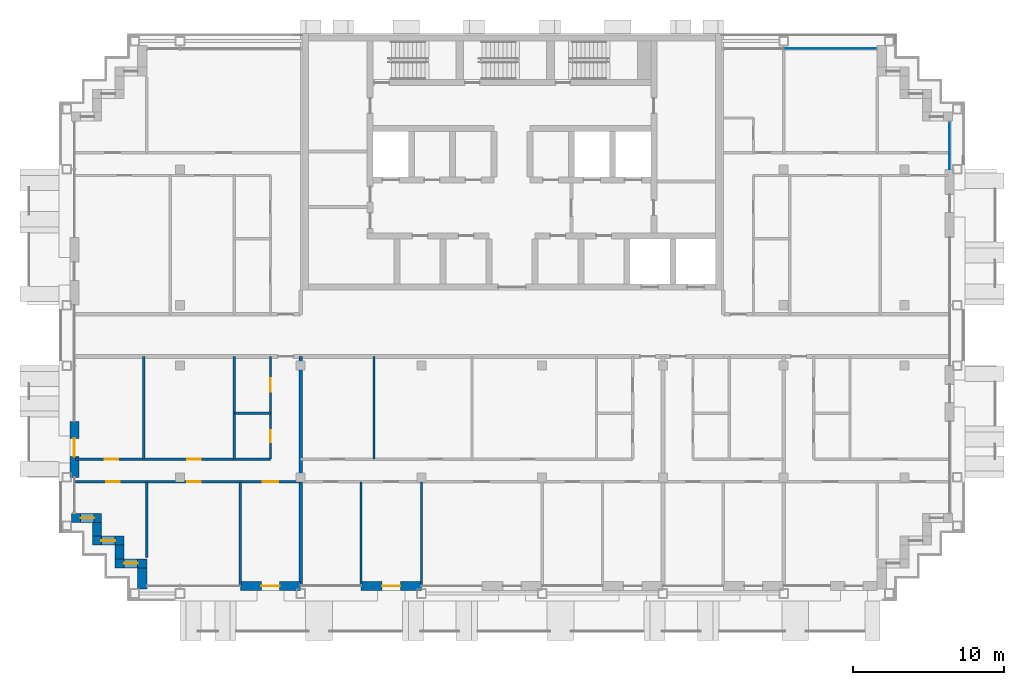
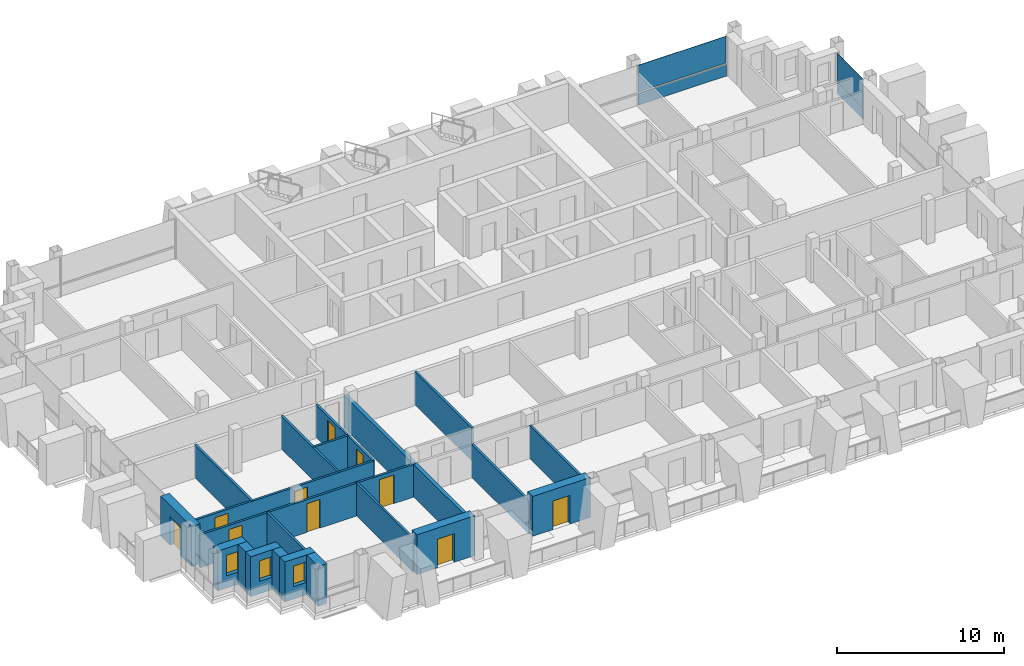
# One storey, part 7 of 16: 21 walls, 10 doors, 4 plates, 3 windows, 13 openings, 2 elements without a shape of their own.
"""IFC4 building model written with IfcOpenShell, lengths in metres."""

import ifcopenshell
import ifcopenshell.guid

model = None  # the IFC model being written
_history = None  # IfcOwnerHistory: only IFC2X3 demands one
_inside = {}  # id of a spatial element -> (the spatial element, [elements in it])
_under = {}  # id of a project, library or spatial element -> (it, [spatial elements below it])
_declared = {}  # id of a project -> (the project, [libraries it declares])
_typed = {}  # id of a type object -> (the type object, [elements of that type])
_made_of = {}  # id of a material, layer set ... -> (it, [elements and type objects made of it])


def new_model(schema):
    """Start an empty IFC model of exactly this schema.

    Asked for "IFC4X3", IfcOpenShell would pick the latest addendum, in which some entities
    have other attributes; the version numbers below select the first issue.
    IFC2X3 requires an IfcOwnerHistory on every rooted entity: one is made here for all.
    """
    global model, _history
    if schema == "IFC4X3":
        model = ifcopenshell.file(schema_version=(4, 3, 0, 0))
    else:
        model = ifcopenshell.file(schema=schema)
    _inside.clear()
    _under.clear()
    _declared.clear()
    _typed.clear()
    _made_of.clear()
    _history = None
    if model.schema == "IFC2X3":
        org = make("IfcOrganization", Name="unknown")
        user = make(
            "IfcPersonAndOrganization",
            ThePerson=make("IfcPerson", FamilyName="unknown"),
            TheOrganization=org,
        )
        app = make(
            "IfcApplication",
            ApplicationDeveloper=org,
            Version="unknown",
            ApplicationFullName="unknown",
            ApplicationIdentifier="unknown",
        )
        _history = make(
            "IfcOwnerHistory",
            OwningUser=user,
            OwningApplication=app,
            ChangeAction="ADDED",
            CreationDate=0,
        )
    return model


def make(cls, **values):
    """One entity of the class cls with the attributes given. An attribute that is None is left unset."""
    return model.create_entity(
        cls, **{name: value for name, value in values.items() if value is not None}
    )


def rooted(cls, **values):
    """An entity with a GlobalId (a new one), such as an element, a storey or a relation."""
    return make(cls, GlobalId=ifcopenshell.guid.new(), OwnerHistory=_history, **values)


def si_unit(unit_type, name, prefix=None):
    """IfcSIUnit, for example si_unit("LENGTHUNIT", "METRE", prefix="MILLI")."""
    return make("IfcSIUnit", UnitType=unit_type, Prefix=prefix, Name=name)


def assignment(units):
    """IfcUnitAssignment: the units of a project."""
    return None if units is None else make("IfcUnitAssignment", Units=units)


def point(xyz):
    """IfcCartesianPoint."""
    return None if xyz is None else make("IfcCartesianPoint", Coordinates=xyz)


def direction(xyz):
    """IfcDirection."""
    return None if xyz is None else make("IfcDirection", DirectionRatios=xyz)


def frame(location, z_axis=None, x_axis=None):
    """IfcAxis2Placement3D, a coordinate frame: its origin and axes. An axis left out is left unset."""
    return make(
        "IfcAxis2Placement3D",
        Location=point(location),
        Axis=direction(z_axis),
        RefDirection=direction(x_axis),
    )


def frame_2d(location, x_axis=None):
    """IfcAxis2Placement2D, a coordinate frame in the plane: its origin and x axis."""
    return make(
        "IfcAxis2Placement2D", Location=point(location), RefDirection=direction(x_axis)
    )


def origin():
    """The frame at (0, 0, 0) with its axes left unset."""
    return frame((0.0, 0.0, 0.0))


def origin_2d():
    """The frame at (0, 0) in the plane with its x axis left unset."""
    return frame_2d((0.0, 0.0))


def place(relative_to, where):
    """IfcLocalPlacement: puts the frame where relative to a parent placement (None: the world)."""
    return make(
        "IfcLocalPlacement", PlacementRelTo=relative_to, RelativePlacement=where
    )


def context(
    kind, dimensions, precision=None, world=None, true_north=None, identifier=None
):
    """IfcGeometricRepresentationContext, for example the 3D "Model" context."""
    return make(
        "IfcGeometricRepresentationContext",
        ContextIdentifier=identifier,
        ContextType=kind,
        CoordinateSpaceDimension=dimensions,
        Precision=precision,
        WorldCoordinateSystem=world,
        TrueNorth=true_north,
    )


def subcontext(parent, identifier, kind, view, scale=None):
    """IfcGeometricRepresentationSubContext, for example "Body" below "Model"."""
    return make(
        "IfcGeometricRepresentationSubContext",
        ContextIdentifier=identifier,
        ContextType=kind,
        ParentContext=parent,
        TargetScale=scale,
        TargetView=view,
    )


def project(units=None, contexts=None):
    """IfcProject with its units and contexts."""
    return rooted(
        "IfcProject",
        Name="project",
        RepresentationContexts=contexts,
        UnitsInContext=assignment(units),
    )


def spatial(cls, under=None, at=None, **own):
    """A site, building, storey or space (cls), placed at a placement, below another one or the project."""
    s = rooted(cls, ObjectPlacement=at, **own)
    if under is not None:
        _under.setdefault(under.id(), (under, []))[1].append(s)
    return s


def profile(cls, at=None, kind="AREA", **sizes):
    """A parametric profile (cls). Its sizes go by their IFC names, for example OverallWidth=200.0."""
    return make(cls, ProfileType=kind, Position=at, **sizes)


def rectangle(**sizes):
    """IfcRectangleProfileDef."""
    return profile("IfcRectangleProfileDef", **sizes)


def extrude(swept, where, along, depth):
    """IfcExtrudedAreaSolid: the profile swept, set in the frame where, extruded along a direction by depth."""
    return make(
        "IfcExtrudedAreaSolid",
        SweptArea=swept,
        Position=where,
        ExtrudedDirection=direction(along),
        Depth=depth,
    )


def shape(context_of_items, identifier, shape_type, items):
    """IfcShapeRepresentation: the items that make up one representation, for example the "Body"."""
    return make(
        "IfcShapeRepresentation",
        ContextOfItems=context_of_items,
        RepresentationIdentifier=identifier,
        RepresentationType=shape_type,
        Items=items,
    )


def material(Name=None, Category=None):
    """IfcMaterial."""
    return make("IfcMaterial", Name=Name, Category=Category)


def layer(
    of_material, thickness, ventilated=None, Name=None, Category=None, Priority=None
):
    """IfcMaterialLayer: one layer of a wall or slab, of a material (None: an air gap)."""
    return make(
        "IfcMaterialLayer",
        Material=of_material,
        LayerThickness=thickness,
        IsVentilated=ventilated,
        Name=Name,
        Category=Category,
        Priority=Priority,
    )


def layer_set(layers, Name=None):
    """IfcMaterialLayerSet."""
    return make("IfcMaterialLayerSet", MaterialLayers=layers, LayerSetName=Name)


def made_of(thing, what):
    """Note that an element or type object is made of a material, layer set ...; save() writes the relation."""
    if what is not None:
        _made_of.setdefault(what.id(), (what, []))[1].append(thing)
    return thing


def type_object(cls, material=None, **own):
    """A type object (cls), such as IfcWallType, which elements share."""
    return made_of(rooted(cls, **own), material)


def element(
    cls,
    number,
    at=None,
    inside=None,
    cuts=None,
    type_object=None,
    material=None,
    context=None,
    identifier="Body",
    shape_type=None,
    held_by="IfcProductDefinitionShape",
    body=None,
    shapes=None,
    **own,
):
    """One element of the class cls, such as IfcWall. Its Tag is "e" and its number.

    at: its placement. inside: the storey or other place that contains it. cuts: it is an
    opening in that element (IfcRelVoidsElement). A single representation is given by context,
    identifier, shape_type and body (its items); several are given by shapes. held_by: the class
    of the entity that holds the representations. save() writes the other relations.
    """
    e = rooted(cls, Tag="e%d" % number, ObjectPlacement=at, **own)
    if body is not None:
        shapes = [shape(context, identifier, shape_type, body)]
    if shapes is not None:
        e.Representation = make(held_by, Representations=shapes)
    if inside is not None:
        _inside.setdefault(inside.id(), (inside, []))[1].append(e)
    if cuts is not None:
        rooted(
            "IfcRelVoidsElement", RelatingBuildingElement=cuts, RelatedOpeningElement=e
        )
    if type_object is not None:
        _typed.setdefault(type_object.id(), (type_object, []))[1].append(e)
    return made_of(e, material)


def fill(opening, filler):
    """IfcRelFillsElement: the door or window that sits in an opening."""
    return rooted(
        "IfcRelFillsElement",
        RelatingOpeningElement=opening,
        RelatedBuildingElement=filler,
    )


def aggregate(whole, parts):
    """IfcRelAggregates: a whole, such as a stair, and the parts it consists of."""
    return rooted("IfcRelAggregates", RelatingObject=whole, RelatedObjects=parts)


def save(model, path):
    """Write the relations noted so far, then the file.

    IfcRelAggregates (storeys below a building ...), IfcRelContainedInSpatialStructure (elements
    in a storey), IfcRelDefinesByType, IfcRelAssociatesMaterial and IfcRelDeclares: one each for
    every whole, place, type object, material and project.
    """
    for whole, parts in _under.values():
        aggregate(whole, parts)
    for where, things in _inside.values():
        rooted(
            "IfcRelContainedInSpatialStructure",
            RelatedElements=things,
            RelatingStructure=where,
        )
    for kind, things in _typed.values():
        rooted("IfcRelDefinesByType", RelatedObjects=things, RelatingType=kind)
    for what, things in _made_of.values():
        rooted("IfcRelAssociatesMaterial", RelatedObjects=things, RelatingMaterial=what)
    for by, libraries in _declared.values():
        rooted("IfcRelDeclares", RelatingContext=by, RelatedDefinitions=libraries)
    model.write(path)


model = new_model("IFC4")

# Units and contexts
model_context = context("Model", 3, precision=1e-05, world=origin(), true_north=direction((0.0, 1.0)))
body_context = subcontext(model_context, "Body", "Model", "MODEL_VIEW")
ifc_project = project(units=[si_unit("LENGTHUNIT", "METRE"), si_unit("AREAUNIT", "SQUARE_METRE"), si_unit("VOLUMEUNIT", "CUBIC_METRE"), si_unit("PLANEANGLEUNIT", "RADIAN"), si_unit("MASSUNIT", "GRAM", prefix="KILO")], contexts=[model_context])

# Site, building, storey
site_placement = place(None, origin())
site = spatial("IfcSite", under=ifc_project, at=site_placement, CompositionType="ELEMENT")
building_placement = place(site_placement, origin())
building = spatial("IfcBuilding", under=site, at=building_placement, Name="Vidyagriha Tower", CompositionType="ELEMENT")
storey_placement = place(building_placement, frame((0.0, 0.0, 207.60009765625)))
storey = spatial("IfcBuildingStorey", under=building, at=storey_placement, Name="L53", CompositionType="ELEMENT", Elevation=207.60009765625)

# Curtain wall, plate
ifc_material_1 = material(Name="Aluminium and glass curtain wall", Category="aluminium")
curtain_wall_type = type_object("IfcCurtainWallType", Name="Dwelling skin unitised curtain wall", PredefinedType="USERDEFINED", material=ifc_material_1)
curtain_wall_1_placement = place(storey_placement, origin())
curtain_wall_1 = element("IfcCurtainWall", 1, at=curtain_wall_1_placement, inside=storey, type_object=curtain_wall_type, Name="CW1 dwelling skin", ObjectType="UNITISED", PredefinedType="USERDEFINED")
ifc_material_2 = material(Name="Glass dark ceramic-fritted spandrel", Category="glass")
ifc_layer_1 = layer(ifc_material_2, 0.0400390625)
ifc_layer_set_1 = layer_set([ifc_layer_1], Name="Glass dark ceramic-fritted spandrel")
plate_type_1 = type_object("IfcPlateType", Name="Ceramic-fritted spandrel panel", PredefinedType="CURTAIN_PANEL", material=ifc_layer_set_1)
plate_1_placement = place(storey_placement, frame((21.08251953125, 19.0, -0.000244140625), z_axis=(0.0, 0.0, 1.0), x_axis=(-1.0, 0.0, 0.0)))
plate_1 = element("IfcPlate", 2, at=plate_1_placement, type_object=plate_type_1, Name="CW1 panel 1.1", PredefinedType="CURTAIN_PANEL", context=body_context, shape_type="SweptSolid", body=[
    extrude(rectangle(XDim=6.094970703125, YDim=0.0400390625, at=origin_2d()), origin(), (0.0, 0.0, 1.0), 0.85009765625),
])

curtain_wall_2_placement = place(storey_placement, origin())
curtain_wall_2 = element("IfcCurtainWall", 3, at=curtain_wall_2_placement, inside=storey, type_object=curtain_wall_type, Name="CW1 dwelling skin", ObjectType="UNITISED", PredefinedType="USERDEFINED")
plate_2_placement = place(storey_placement, frame((29.0, 12.56494140625, -0.000244140625), z_axis=(0.0, 0.0, 1.0), x_axis=(0.0, 1.0, 0.0)))
plate_2 = element("IfcPlate", 4, at=plate_2_placement, type_object=plate_type_1, Name="CW1 panel 1.1", PredefinedType="CURTAIN_PANEL", context=body_context, shape_type="SweptSolid", body=[
    extrude(rectangle(XDim=3.1298828125, YDim=0.0400390625, at=origin_2d()), origin(), (0.0, 0.0, 1.0), 0.85009765625),
])

# Plate
ifc_material_3 = material(Name="Glass dark ceramic-fritted", Category="glass")
ifc_layer_2 = layer(ifc_material_3, 0.028076171875)
ifc_layer_set_2 = layer_set([ifc_layer_2], Name="Glass dark ceramic-fritted")
plate_type_2 = type_object("IfcPlateType", Name="Dark ceramic-fritted vision glass panel", PredefinedType="CURTAIN_PANEL", material=ifc_layer_set_2)
plate_3_placement = place(storey_placement, frame((21.08251953125, 19.0, 0.94970703125), z_axis=(0.0, 0.0, 1.0), x_axis=(-1.0, 0.0, 0.0)))
plate_3 = element("IfcPlate", 5, at=plate_3_placement, type_object=plate_type_2, Name="CW1 panel 1.2", PredefinedType="CURTAIN_PANEL", context=body_context, shape_type="SweptSolid", body=[
    extrude(rectangle(XDim=6.094970703125, YDim=0.028076171875, at=origin_2d()), origin(), (0.0, 0.0, 1.0), 1.969970703125),
])

aggregate(curtain_wall_1, [plate_1, plate_3])

plate_4_placement = place(storey_placement, frame((29.0, 12.56494140625, 0.94970703125), z_axis=(0.0, 0.0, 1.0), x_axis=(0.0, 1.0, 0.0)))
plate_4 = element("IfcPlate", 6, at=plate_4_placement, type_object=plate_type_2, Name="CW1 panel 1.2", PredefinedType="CURTAIN_PANEL", context=body_context, shape_type="SweptSolid", body=[
    extrude(rectangle(XDim=3.1298828125, YDim=0.028076171875, at=origin_2d()), origin(), (0.0, 0.0, 1.0), 1.969970703125),
])

aggregate(curtain_wall_2, [plate_2, plate_4])

# Wall, opening, door
ifc_material_4 = material(Name="Precast concrete C40/50 with brick facing", Category="concrete")
ifc_layer_3 = layer(ifc_material_4, 0.60009765625)
ifc_layer_set_3 = layer_set([ifc_layer_3], Name="Precast concrete C40/50 with brick facing")
wall_type_1 = type_object("IfcWallType", Name="Brick-faced precast wall 600", PredefinedType="STANDARD", material=ifc_layer_set_3)
wall_1_placement = place(storey_placement, frame((-29.0, -5.699951171875, 0.0), z_axis=(0.0, 0.0, 1.0), x_axis=(0.0, -1.0, 0.0)))
wall_1 = element("IfcWall", 7, at=wall_1_placement, inside=storey, type_object=wall_type_1, Name="Brick door bay wall L53 R16.6", PredefinedType="STANDARD", context=body_context, shape_type="SweptSolid", body=[
    extrude(rectangle(XDim=3.699951171875, YDim=0.60009765625, at=frame_2d((1.85009765625, 0.0))), origin(), (0.0, 0.0, 1.0), 2.919921875),
])
opening_1_placement = place(wall_1_placement, frame((1.125, 0.0, 0.0)))
opening_1 = element("IfcOpeningElement", 8, at=opening_1_placement, cuts=wall_1, Name="Opening D53-66", PredefinedType="OPENING", context=body_context, shape_type="SweptSolid", body=[
    extrude(rectangle(XDim=1.199951171875, YDim=2.10009765625, at=frame_2d((0.60009765625, 1.050048828125))), frame((0.0, 0.31005859375, 0.0), z_axis=(0.0, -1.0, 0.0), x_axis=(1.0, 0.0, 0.0)), (0.0, 0.0, 1.0), 0.6201171875),
])
ifc_material_5 = material(Name="Aluminium framed glazed sliding door", Category="aluminium")
door_type_1 = type_object("IfcDoorType", Name="Balcony sliding door 1200x2100", OperationType="NOTDEFINED", PredefinedType="DOOR", material=ifc_material_5)
door_1_placement = place(opening_1_placement, origin())
door_1 = element("IfcDoor", 9, at=door_1_placement, inside=storey, type_object=door_type_1, Name="Door D53-66", OperationType="SLIDING_TO_LEFT", OverallHeight=2.10009765625, OverallWidth=1.199951171875, PredefinedType="DOOR", context=body_context, shape_type="SweptSolid", body=[
    extrude(rectangle(XDim=1.199951171875, YDim=2.10009765625, at=frame_2d((0.60009765625, 1.050048828125))), frame((0.0, 0.02490234375, 0.0), z_axis=(0.0, -1.0, 0.0), x_axis=(1.0, 0.0, 0.0)), (0.0, 0.0, 1.0), 0.050048828125),
])
fill(opening_1, door_1)

# Wall, opening, window
wall_2_placement = place(storey_placement, frame((-29.199951171875, -12.10009765625, 0.0)))
wall_2 = element("IfcWall", 10, at=wall_2_placement, inside=storey, type_object=wall_type_1, Name="Stepped corner wall L53 R17", PredefinedType="STANDARD", context=body_context, shape_type="SweptSolid", body=[
    extrude(rectangle(XDim=2.0, YDim=0.60009765625, at=frame_2d((1.0, 0.0))), origin(), (0.0, 0.0, 1.0), 2.919921875),
])
opening_2_placement = place(wall_2_placement, frame((0.610107421875, 0.0, 0.89990234375)))
opening_2 = element("IfcOpeningElement", 11, at=opening_2_placement, cuts=wall_2, Name="Opening WN1", PredefinedType="OPENING", context=body_context, shape_type="SweptSolid", body=[
    extrude(rectangle(XDim=0.89990234375, YDim=1.5, at=frame_2d((0.449951171875, 0.75))), frame((0.0, 0.31005859375, 0.0), z_axis=(0.0, -1.0, 0.0), x_axis=(1.0, 0.0, 0.0)), (0.0, 0.0, 1.0), 0.6201171875),
])
ifc_material_6 = material(Name="Aluminium and glass window", Category="aluminium")
window_type = type_object("IfcWindowType", Name="Reveal window 900x1500", PartitioningType="NOTDEFINED", PredefinedType="WINDOW", material=ifc_material_6)
window_1_placement = place(opening_2_placement, origin())
window_1 = element("IfcWindow", 12, at=window_1_placement, inside=storey, type_object=window_type, Name="Reveal window L53 R17", OverallHeight=1.5, OverallWidth=0.89990234375, PartitioningType="SINGLE_PANEL", PredefinedType="WINDOW", context=body_context, shape_type="SweptSolid", body=[
    extrude(rectangle(XDim=0.89990234375, YDim=1.5, at=frame_2d((0.449951171875, 0.75))), frame((0.0, 0.030029296875, 0.0), z_axis=(0.0, -1.0, 0.0), x_axis=(1.0, 0.0, 0.0)), (0.0, 0.0, 1.0), 0.06005859375),
])
fill(opening_2, window_1)

# Wall
wall_3_placement = place(storey_placement, frame((-27.5, -12.39990234375, 0.0), z_axis=(0.0, 0.0, 1.0), x_axis=(0.0, -1.0, 0.0)))
element("IfcWall", 13, at=wall_3_placement, inside=storey, type_object=wall_type_1, Name="Stepped corner wall L53 R18", PredefinedType="STANDARD", context=body_context, shape_type="SweptSolid", body=[
    extrude(rectangle(XDim=0.900146484375, YDim=0.60009765625, at=frame_2d((0.4501953125, 0.0))), origin(), (0.0, 0.0, 1.0), 2.919921875),
])

# Wall, opening, window
wall_4_placement = place(storey_placement, frame((-27.800048828125, -13.60009765625, 0.0)))
wall_4 = element("IfcWall", 14, at=wall_4_placement, inside=storey, type_object=wall_type_1, Name="Stepped corner wall L53 R19", PredefinedType="STANDARD", context=body_context, shape_type="SweptSolid", body=[
    extrude(rectangle(XDim=2.10009765625, YDim=0.60009765625, at=frame_2d((1.050048828125, 0.0))), origin(), (0.0, 0.0, 1.0), 2.919921875),
])
opening_3_placement = place(wall_4_placement, frame((0.60009765625, 0.0, 0.89990234375)))
opening_3 = element("IfcOpeningElement", 15, at=opening_3_placement, cuts=wall_4, Name="Opening WN1", PredefinedType="OPENING", context=body_context, shape_type="SweptSolid", body=[
    extrude(rectangle(XDim=0.89990234375, YDim=1.5, at=frame_2d((0.449951171875, 0.75))), frame((0.0, 0.31005859375, 0.0), z_axis=(0.0, -1.0, 0.0), x_axis=(1.0, 0.0, 0.0)), (0.0, 0.0, 1.0), 0.6201171875),
])
window_2_placement = place(opening_3_placement, origin())
window_2 = element("IfcWindow", 16, at=window_2_placement, inside=storey, type_object=window_type, Name="Reveal window L53 R19", OverallHeight=1.5, OverallWidth=0.89990234375, PartitioningType="SINGLE_PANEL", PredefinedType="WINDOW", context=body_context, shape_type="SweptSolid", body=[
    extrude(rectangle(XDim=0.89990234375, YDim=1.5, at=frame_2d((0.449951171875, 0.75))), frame((0.0, 0.030029296875, 0.0), z_axis=(0.0, -1.0, 0.0), x_axis=(1.0, 0.0, 0.0)), (0.0, 0.0, 1.0), 0.06005859375),
])
fill(opening_3, window_2)

# Wall
wall_5_placement = place(storey_placement, frame((-26.0, -13.89990234375, 0.0), z_axis=(0.0, 0.0, 1.0), x_axis=(0.0, -1.0, 0.0)))
element("IfcWall", 17, at=wall_5_placement, inside=storey, type_object=wall_type_1, Name="Stepped corner wall L53 R20", PredefinedType="STANDARD", context=body_context, shape_type="SweptSolid", body=[
    extrude(rectangle(XDim=0.900146484375, YDim=0.60009765625, at=frame_2d((0.4501953125, 0.0))), origin(), (0.0, 0.0, 1.0), 2.919921875),
])

# Wall, opening, window
wall_6_placement = place(storey_placement, frame((-26.300048828125, -15.10009765625, 0.0)))
wall_6 = element("IfcWall", 18, at=wall_6_placement, inside=storey, type_object=wall_type_1, Name="Stepped corner wall L53 R21", PredefinedType="STANDARD", context=body_context, shape_type="SweptSolid", body=[
    extrude(rectangle(XDim=2.10009765625, YDim=0.60009765625, at=frame_2d((1.050048828125, 0.0))), origin(), (0.0, 0.0, 1.0), 2.919921875),
])
opening_4_placement = place(wall_6_placement, frame((0.60009765625, 0.0, 0.89990234375)))
opening_4 = element("IfcOpeningElement", 19, at=opening_4_placement, cuts=wall_6, Name="Opening WN1", PredefinedType="OPENING", context=body_context, shape_type="SweptSolid", body=[
    extrude(rectangle(XDim=0.89990234375, YDim=1.5, at=frame_2d((0.449951171875, 0.75))), frame((0.0, 0.31005859375, 0.0), z_axis=(0.0, -1.0, 0.0), x_axis=(1.0, 0.0, 0.0)), (0.0, 0.0, 1.0), 0.6201171875),
])
window_3_placement = place(opening_4_placement, origin())
window_3 = element("IfcWindow", 20, at=window_3_placement, inside=storey, type_object=window_type, Name="Reveal window L53 R21", OverallHeight=1.5, OverallWidth=0.89990234375, PartitioningType="SINGLE_PANEL", PredefinedType="WINDOW", context=body_context, shape_type="SweptSolid", body=[
    extrude(rectangle(XDim=0.89990234375, YDim=1.5, at=frame_2d((0.449951171875, 0.75))), frame((0.0, 0.030029296875, 0.0), z_axis=(0.0, -1.0, 0.0), x_axis=(1.0, 0.0, 0.0)), (0.0, 0.0, 1.0), 0.06005859375),
])
fill(opening_4, window_3)

# Wall
wall_7_placement = place(storey_placement, frame((-24.5, -15.39990234375, 0.0), z_axis=(0.0, 0.0, 1.0), x_axis=(0.0, -1.0, 0.0)))
element("IfcWall", 21, at=wall_7_placement, inside=storey, type_object=wall_type_1, Name="Stepped corner wall L53 R22", PredefinedType="STANDARD", context=body_context, shape_type="SweptSolid", body=[
    extrude(rectangle(XDim=1.400146484375, YDim=0.60009765625, at=frame_2d((0.7001953125, 0.0))), origin(), (0.0, 0.0, 1.0), 2.919921875),
])

# Wall, opening, door
wall_8_placement = place(storey_placement, frame((-18.0, -16.60009765625, 0.0)))
wall_8 = element("IfcWall", 22, at=wall_8_placement, inside=storey, type_object=wall_type_1, Name="Brick door bay wall L53 R23.3", PredefinedType="STANDARD", context=body_context, shape_type="SweptSolid", body=[
    extrude(rectangle(XDim=4.0, YDim=0.60009765625, at=frame_2d((2.0, 0.0))), origin(), (0.0, 0.0, 1.0), 2.919921875),
])
opening_5_placement = place(wall_8_placement, frame((1.39990234375, 0.0, 0.0)))
opening_5 = element("IfcOpeningElement", 23, at=opening_5_placement, cuts=wall_8, Name="Opening D53-67", PredefinedType="OPENING", context=body_context, shape_type="SweptSolid", body=[
    extrude(rectangle(XDim=1.199951171875, YDim=2.10009765625, at=frame_2d((0.60009765625, 1.050048828125))), frame((0.0, 0.31005859375, 0.0), z_axis=(0.0, -1.0, 0.0), x_axis=(1.0, 0.0, 0.0)), (0.0, 0.0, 1.0), 0.6201171875),
])
door_2_placement = place(opening_5_placement, origin())
door_2 = element("IfcDoor", 24, at=door_2_placement, inside=storey, type_object=door_type_1, Name="Door D53-67", OperationType="SLIDING_TO_LEFT", OverallHeight=2.10009765625, OverallWidth=1.199951171875, PredefinedType="DOOR", context=body_context, shape_type="SweptSolid", body=[
    extrude(rectangle(XDim=1.199951171875, YDim=2.10009765625, at=frame_2d((0.60009765625, 1.050048828125))), frame((0.0, 0.02490234375, 0.0), z_axis=(0.0, -1.0, 0.0), x_axis=(1.0, 0.0, 0.0)), (0.0, 0.0, 1.0), 0.050048828125),
])
fill(opening_5, door_2)

wall_9_placement = place(storey_placement, frame((-10.0, -16.60009765625, 0.0)))
wall_9 = element("IfcWall", 25, at=wall_9_placement, inside=storey, type_object=wall_type_1, Name="Brick door bay wall L53 R23.5", PredefinedType="STANDARD", context=body_context, shape_type="SweptSolid", body=[
    extrude(rectangle(XDim=4.0, YDim=0.60009765625, at=frame_2d((2.0, 0.0))), origin(), (0.0, 0.0, 1.0), 2.919921875),
])
opening_6_placement = place(wall_9_placement, frame((1.39990234375, 0.0, 0.0)))
opening_6 = element("IfcOpeningElement", 26, at=opening_6_placement, cuts=wall_9, Name="Opening D53-68", PredefinedType="OPENING", context=body_context, shape_type="SweptSolid", body=[
    extrude(rectangle(XDim=1.199951171875, YDim=2.10009765625, at=frame_2d((0.60009765625, 1.050048828125))), frame((0.0, 0.31005859375, 0.0), z_axis=(0.0, -1.0, 0.0), x_axis=(1.0, 0.0, 0.0)), (0.0, 0.0, 1.0), 0.6201171875),
])
door_3_placement = place(opening_6_placement, origin())
door_3 = element("IfcDoor", 27, at=door_3_placement, inside=storey, type_object=door_type_1, Name="Door D53-68", OperationType="SLIDING_TO_LEFT", OverallHeight=2.10009765625, OverallWidth=1.199951171875, PredefinedType="DOOR", context=body_context, shape_type="SweptSolid", body=[
    extrude(rectangle(XDim=1.199951171875, YDim=2.10009765625, at=frame_2d((0.60009765625, 1.050048828125))), frame((0.0, 0.02490234375, 0.0), z_axis=(0.0, -1.0, 0.0), x_axis=(1.0, 0.0, 0.0)), (0.0, 0.0, 1.0), 0.050048828125),
])
fill(opening_6, door_3)

# Walls
ifc_material_7 = material(Name="Fired clay brick masonry", Category="masonry")
ifc_layer_4 = layer(ifc_material_7, 0.25)
ifc_layer_set_4 = layer_set([ifc_layer_4], Name="Fired clay brick masonry")
wall_type_2 = type_object("IfcWallType", Name="Fired clay brick demising wall 250", PredefinedType="PARTITIONING", material=ifc_layer_set_4)
wall_10_placement = place(storey_placement, frame((-14.0, -1.39990234375, 0.0), z_axis=(0.0, 0.0, 1.0), x_axis=(0.0, -1.0, 0.0)))
element("IfcWall", 28, at=wall_10_placement, inside=storey, type_object=wall_type_2, Name="Wall all-L53-w039", PredefinedType="PARTITIONING", context=body_context, shape_type="SweptSolid", body=[
    extrude(rectangle(XDim=15.110107421875, YDim=0.25, at=frame_2d((7.55517578125, 0.0))), origin(), (0.0, 0.0, 1.0), 2.39990234375),
])
ifc_material_8 = material(Name="Gypsum board partition")
ifc_layer_5 = layer(ifc_material_8, 0.14990234375)
ifc_layer_set_5 = layer_set([ifc_layer_5], Name="Gypsum board partition")
wall_type_3 = type_object("IfcWallType", Name="Gypsum board partition 150", PredefinedType="PARTITIONING", material=ifc_layer_set_5)
wall_11_placement = place(storey_placement, frame((-16.0, -5.14990234375, 0.0), z_axis=(0.0, 0.0, 1.0), x_axis=(-1.0, 0.0, 0.0)))
element("IfcWall", 29, at=wall_11_placement, inside=storey, type_object=wall_type_3, Name="Wall all-L53-w004", PredefinedType="PARTITIONING", context=body_context, shape_type="SweptSolid", body=[
    extrude(rectangle(XDim=2.39990234375, YDim=0.14990234375, at=frame_2d((1.199951171875, 0.0))), origin(), (0.0, 0.0, 1.0), 2.39990234375),
])
for number, where, z_axis, x_axis, name in (
    (30, (-18.39990234375, -8.199951171875, 0.0), (0.0, 0.0, 1.0), (0.0, 1.0, 0.0), "Wall all-L53-w005"),
    (31, (-24.39990234375, -8.199951171875, 0.0), (0.0, 0.0, 1.0), (0.0, 1.0, 0.0), "Wall all-L53-w006"),
):
    element("IfcWall", number, at=place(storey_placement, frame(where, z_axis=z_axis, x_axis=x_axis)), inside=storey, type_object=wall_type_3, Name=name, PredefinedType="PARTITIONING", context=body_context, shape_type="SweptSolid", body=[
        extrude(rectangle(XDim=6.800048828125, YDim=0.14990234375, at=frame_2d((3.39990234375, 0.0))), origin(), (0.0, 0.0, 1.0), 2.39990234375),
    ])

# Wall, openings, doors
wall_12_placement = place(storey_placement, frame((-28.909912109375, -8.199951171875, 0.0)))
wall_12 = element("IfcWall", 32, at=wall_12_placement, inside=storey, type_object=wall_type_3, Name="Wall all-L53-w007", PredefinedType="PARTITIONING", context=body_context, shape_type="SweptSolid", body=[
    extrude(rectangle(XDim=12.909912109375, YDim=0.14990234375, at=frame_2d((6.455078125, 0.0))), origin(), (0.0, 0.0, 1.0), 2.39990234375),
])
opening_7_placement = place(wall_12_placement, frame((7.385986328125, 0.0, 0.0)))
opening_7 = element("IfcOpeningElement", 33, at=opening_7_placement, cuts=wall_12, Name="Opening D53-20", PredefinedType="OPENING", context=body_context, shape_type="SweptSolid", body=[
    extrude(rectangle(XDim=0.89990234375, YDim=2.10009765625, at=frame_2d((0.449951171875, 1.050048828125))), frame((0.0, 0.0849609375, 0.0), z_axis=(0.0, -1.0, 0.0), x_axis=(1.0, 0.0, 0.0)), (0.0, 0.0, 1.0), 0.169921875),
])
opening_8_placement = place(wall_12_placement, frame((1.909912109375, 0.0, 0.0)))
opening_8 = element("IfcOpeningElement", 34, at=opening_8_placement, cuts=wall_12, Name="Opening D53-21", PredefinedType="OPENING", context=body_context, shape_type="SweptSolid", body=[
    extrude(rectangle(XDim=0.89990234375, YDim=2.10009765625, at=frame_2d((0.449951171875, 1.050048828125))), frame((0.0, 0.0849609375, 0.0), z_axis=(0.0, -1.0, 0.0), x_axis=(1.0, 0.0, 0.0)), (0.0, 0.0, 1.0), 0.169921875),
])
ifc_material_9 = material(Name="Timber door leaf", Category="wood")
door_type_2 = type_object("IfcDoorType", Name="Room door 900x2100", OperationType="NOTDEFINED", PredefinedType="DOOR", material=ifc_material_9)
door_4_placement = place(opening_7_placement, origin())
door_4 = element("IfcDoor", 35, at=door_4_placement, inside=storey, type_object=door_type_2, Name="Door D53-20", OperationType="SINGLE_SWING_RIGHT", OverallHeight=2.10009765625, OverallWidth=0.89990234375, PredefinedType="DOOR", context=body_context, shape_type="SweptSolid", body=[
    extrude(rectangle(XDim=0.89990234375, YDim=2.10009765625, at=frame_2d((0.449951171875, 1.050048828125))), frame((0.0, 0.02490234375, 0.0), z_axis=(0.0, -1.0, 0.0), x_axis=(1.0, 0.0, 0.0)), (0.0, 0.0, 1.0), 0.050048828125),
])
fill(opening_7, door_4)
door_5_placement = place(opening_8_placement, origin())
door_5 = element("IfcDoor", 36, at=door_5_placement, inside=storey, type_object=door_type_2, Name="Door D53-21", OperationType="SINGLE_SWING_LEFT", OverallHeight=2.10009765625, OverallWidth=0.89990234375, PredefinedType="DOOR", context=body_context, shape_type="SweptSolid", body=[
    extrude(rectangle(XDim=0.89990234375, YDim=2.10009765625, at=frame_2d((0.449951171875, 1.050048828125))), frame((0.0, 0.02490234375, 0.0), z_axis=(0.0, -1.0, 0.0), x_axis=(1.0, 0.0, 0.0)), (0.0, 0.0, 1.0), 0.050048828125),
])
fill(opening_8, door_5)

wall_13_placement = place(storey_placement, frame((-14.0, -9.699951171875, 0.0), z_axis=(0.0, 0.0, 1.0), x_axis=(-1.0, 0.0, 0.0)))
wall_13 = element("IfcWall", 37, at=wall_13_placement, inside=storey, type_object=wall_type_3, Name="Wall all-L53-w010", PredefinedType="PARTITIONING", context=body_context, shape_type="SweptSolid", body=[
    extrude(rectangle(XDim=14.919921875, YDim=0.14990234375, at=frame_2d((7.4599609375, 0.0))), origin(), (0.0, 0.0, 1.0), 2.39990234375),
])
opening_9_placement = place(wall_13_placement, frame((12.0, 0.0, 0.0)))
opening_9 = element("IfcOpeningElement", 38, at=opening_9_placement, cuts=wall_13, Name="Opening D53-22", PredefinedType="OPENING", context=body_context, shape_type="SweptSolid", body=[
    extrude(rectangle(XDim=0.89990234375, YDim=2.10009765625, at=frame_2d((0.449951171875, 1.050048828125))), frame((0.0, 0.0849609375, 0.0), z_axis=(0.0, -1.0, 0.0), x_axis=(1.0, 0.0, 0.0)), (0.0, 0.0, 1.0), 0.169921875),
])
opening_10_placement = place(wall_13_placement, frame((6.6240234375, 0.0, 0.0)))
opening_10 = element("IfcOpeningElement", 39, at=opening_10_placement, cuts=wall_13, Name="Opening D53-23", PredefinedType="OPENING", context=body_context, shape_type="SweptSolid", body=[
    extrude(rectangle(XDim=0.89990234375, YDim=2.10009765625, at=frame_2d((0.449951171875, 1.050048828125))), frame((0.0, 0.0849609375, 0.0), z_axis=(0.0, -1.0, 0.0), x_axis=(1.0, 0.0, 0.0)), (0.0, 0.0, 1.0), 0.169921875),
])
opening_11_placement = place(wall_13_placement, frame((1.5, 0.0, 0.0)))
opening_11 = element("IfcOpeningElement", 40, at=opening_11_placement, cuts=wall_13, Name="Opening D53-24", PredefinedType="OPENING", context=body_context, shape_type="SweptSolid", body=[
    extrude(rectangle(XDim=1.0, YDim=2.10009765625, at=frame_2d((0.5, 1.050048828125))), frame((0.0, 0.0849609375, 0.0), z_axis=(0.0, -1.0, 0.0), x_axis=(1.0, 0.0, 0.0)), (0.0, 0.0, 1.0), 0.169921875),
])
ifc_material_10 = material(Name="Timber door leaf", Category="wood")
door_type_3 = type_object("IfcDoorType", Name="Room door 1000x2100", OperationType="NOTDEFINED", PredefinedType="DOOR", material=ifc_material_10)
door_6_placement = place(opening_11_placement, origin())
door_6 = element("IfcDoor", 41, at=door_6_placement, inside=storey, type_object=door_type_3, Name="Door D53-24", OperationType="SINGLE_SWING_RIGHT", OverallHeight=2.10009765625, OverallWidth=1.0, PredefinedType="DOOR", context=body_context, shape_type="SweptSolid", body=[
    extrude(rectangle(XDim=1.0, YDim=2.10009765625, at=frame_2d((0.5, 1.050048828125))), frame((0.0, 0.02490234375, 0.0), z_axis=(0.0, -1.0, 0.0), x_axis=(1.0, 0.0, 0.0)), (0.0, 0.0, 1.0), 0.050048828125),
])
fill(opening_11, door_6)
door_7_placement = place(opening_9_placement, origin())
door_7 = element("IfcDoor", 42, at=door_7_placement, inside=storey, type_object=door_type_2, Name="Door D53-22", OperationType="SINGLE_SWING_RIGHT", OverallHeight=2.10009765625, OverallWidth=0.89990234375, PredefinedType="DOOR", context=body_context, shape_type="SweptSolid", body=[
    extrude(rectangle(XDim=0.89990234375, YDim=2.10009765625, at=frame_2d((0.449951171875, 1.050048828125))), frame((0.0, 0.02490234375, 0.0), z_axis=(0.0, -1.0, 0.0), x_axis=(1.0, 0.0, 0.0)), (0.0, 0.0, 1.0), 0.050048828125),
])
fill(opening_9, door_7)
door_8_placement = place(opening_10_placement, origin())
door_8 = element("IfcDoor", 43, at=door_8_placement, inside=storey, type_object=door_type_2, Name="Door D53-23", OperationType="SINGLE_SWING_LEFT", OverallHeight=2.10009765625, OverallWidth=0.89990234375, PredefinedType="DOOR", context=body_context, shape_type="SweptSolid", body=[
    extrude(rectangle(XDim=0.89990234375, YDim=2.10009765625, at=frame_2d((0.449951171875, 1.050048828125))), frame((0.0, 0.02490234375, 0.0), z_axis=(0.0, -1.0, 0.0), x_axis=(1.0, 0.0, 0.0)), (0.0, 0.0, 1.0), 0.050048828125),
])
fill(opening_10, door_8)

# Walls
wall_14_placement = place(storey_placement, frame((-24.199951171875, -9.699951171875, 0.0), z_axis=(0.0, 0.0, 1.0), x_axis=(0.0, -1.0, 0.0)))
element("IfcWall", 44, at=wall_14_placement, inside=storey, type_object=wall_type_3, Name="Wall all-L53-w014", PredefinedType="PARTITIONING", context=body_context, shape_type="SweptSolid", body=[
    extrude(rectangle(XDim=5.02001953125, YDim=0.14990234375, at=frame_2d((2.510009765625, 0.0))), origin(), (0.0, 0.0, 1.0), 2.39990234375),
])
wall_15_placement = place(storey_placement, frame((-18.0, -9.699951171875, 0.0), z_axis=(0.0, 0.0, 1.0), x_axis=(0.0, -1.0, 0.0)))
element("IfcWall", 45, at=wall_15_placement, inside=storey, type_object=wall_type_3, Name="Wall all-L53-w015", PredefinedType="PARTITIONING", context=body_context, shape_type="SweptSolid", body=[
    extrude(rectangle(XDim=6.821044921875, YDim=0.14990234375, at=frame_2d((3.41064453125, 0.0))), origin(), (0.0, 0.0, 1.0), 2.39990234375),
])
wall_16_placement = place(storey_placement, frame((-9.14990234375, -8.199951171875, 0.0), z_axis=(0.0, 0.0, 1.0), x_axis=(0.0, 1.0, 0.0)))
element("IfcWall", 46, at=wall_16_placement, inside=storey, type_object=wall_type_3, Name="Wall all-L53-w023", PredefinedType="PARTITIONING", context=body_context, shape_type="SweptSolid", body=[
    extrude(rectangle(XDim=6.800048828125, YDim=0.14990234375, at=frame_2d((3.39990234375, 0.0))), origin(), (0.0, 0.0, 1.0), 2.39990234375),
])
wall_17_placement = place(storey_placement, frame((-10.0, -9.699951171875, 0.0), z_axis=(0.0, 0.0, 1.0), x_axis=(0.0, -1.0, 0.0)))
element("IfcWall", 47, at=wall_17_placement, inside=storey, type_object=wall_type_3, Name="Wall all-L53-w034", PredefinedType="PARTITIONING", context=body_context, shape_type="SweptSolid", body=[
    extrude(rectangle(XDim=6.821044921875, YDim=0.14990234375, at=frame_2d((3.41064453125, 0.0))), origin(), (0.0, 0.0, 1.0), 2.39990234375),
])
wall_18_placement = place(storey_placement, frame((-6.0, -9.699951171875, 0.0), z_axis=(0.0, 0.0, 1.0), x_axis=(0.0, -1.0, 0.0)))
element("IfcWall", 48, at=wall_18_placement, inside=storey, type_object=wall_type_3, Name="Wall all-L53-w035", PredefinedType="PARTITIONING", context=body_context, shape_type="SweptSolid", body=[
    extrude(rectangle(XDim=6.81005859375, YDim=0.14990234375, at=frame_2d((3.405029296875, 0.0))), origin(), (0.0, 0.0, 1.0), 2.39990234375),
])

# Wall, openings, doors
ifc_material_11 = material(Name="Moisture resistant gypsum board partition")
ifc_layer_6 = layer(ifc_material_11, 0.14990234375)
ifc_layer_set_6 = layer_set([ifc_layer_6], Name="Moisture resistant gypsum board partition")
wall_type_4 = type_object("IfcWallType", Name="Gypsum board wet-area partition 150", PredefinedType="PARTITIONING", material=ifc_layer_set_6)
wall_19_placement = place(storey_placement, frame((-16.0, -8.199951171875, 0.0), z_axis=(0.0, 0.0, 1.0), x_axis=(0.0, 1.0, 0.0)))
wall_19 = element("IfcWall", 49, at=wall_19_placement, inside=storey, type_object=wall_type_4, Name="Wall all-L53-w001", PredefinedType="PARTITIONING", context=body_context, shape_type="SweptSolid", body=[
    extrude(rectangle(XDim=6.800048828125, YDim=0.14990234375, at=frame_2d((3.39990234375, 0.0))), origin(), (0.0, 0.0, 1.0), 2.39990234375),
])
opening_12_placement = place(wall_19_placement, frame((4.47509765625, 0.0, 0.0)))
opening_12 = element("IfcOpeningElement", 50, at=opening_12_placement, cuts=wall_19, Name="Opening D53-18", PredefinedType="OPENING", context=body_context, shape_type="SweptSolid", body=[
    extrude(rectangle(XDim=0.89990234375, YDim=2.10009765625, at=frame_2d((0.449951171875, 1.050048828125))), frame((0.0, 0.0849609375, 0.0), z_axis=(0.0, -1.0, 0.0), x_axis=(1.0, 0.0, 0.0)), (0.0, 0.0, 1.0), 0.169921875),
])
opening_13_placement = place(wall_19_placement, frame((1.125, 0.0, 0.0)))
opening_13 = element("IfcOpeningElement", 51, at=opening_13_placement, cuts=wall_19, Name="Opening D53-19", PredefinedType="OPENING", context=body_context, shape_type="SweptSolid", body=[
    extrude(rectangle(XDim=0.800048828125, YDim=2.10009765625, at=frame_2d((0.39990234375, 1.050048828125))), frame((0.0, 0.0849609375, 0.0), z_axis=(0.0, -1.0, 0.0), x_axis=(1.0, 0.0, 0.0)), (0.0, 0.0, 1.0), 0.169921875),
])
ifc_material_12 = material(Name="Timber door leaf", Category="wood")
door_type_4 = type_object("IfcDoorType", Name="Bathroom door 800x2100", OperationType="NOTDEFINED", PredefinedType="DOOR", material=ifc_material_12)
door_9_placement = place(opening_13_placement, origin())
door_9 = element("IfcDoor", 52, at=door_9_placement, inside=storey, type_object=door_type_4, Name="Door D53-19", OperationType="SINGLE_SWING_RIGHT", OverallHeight=2.10009765625, OverallWidth=0.800048828125, PredefinedType="DOOR", context=body_context, shape_type="SweptSolid", body=[
    extrude(rectangle(XDim=0.800048828125, YDim=2.10009765625, at=frame_2d((0.39990234375, 1.050048828125))), frame((0.0, 0.02490234375, 0.0), z_axis=(0.0, -1.0, 0.0), x_axis=(1.0, 0.0, 0.0)), (0.0, 0.0, 1.0), 0.050048828125),
])
fill(opening_13, door_9)
ifc_material_13 = material(Name="Timber door leaf", Category="wood")
door_type_5 = type_object("IfcDoorType", Name="Kitchen door 900x2100", OperationType="NOTDEFINED", PredefinedType="DOOR", material=ifc_material_13)
door_10_placement = place(opening_12_placement, origin())
door_10 = element("IfcDoor", 53, at=door_10_placement, inside=storey, type_object=door_type_5, Name="Door D53-18", OperationType="SINGLE_SWING_LEFT", OverallHeight=2.10009765625, OverallWidth=0.89990234375, PredefinedType="DOOR", context=body_context, shape_type="SweptSolid", body=[
    extrude(rectangle(XDim=0.89990234375, YDim=2.10009765625, at=frame_2d((0.449951171875, 1.050048828125))), frame((0.0, 0.02490234375, 0.0), z_axis=(0.0, -1.0, 0.0), x_axis=(1.0, 0.0, 0.0)), (0.0, 0.0, 1.0), 0.050048828125),
])
fill(opening_12, door_10)

save(model, "model.ifc")
